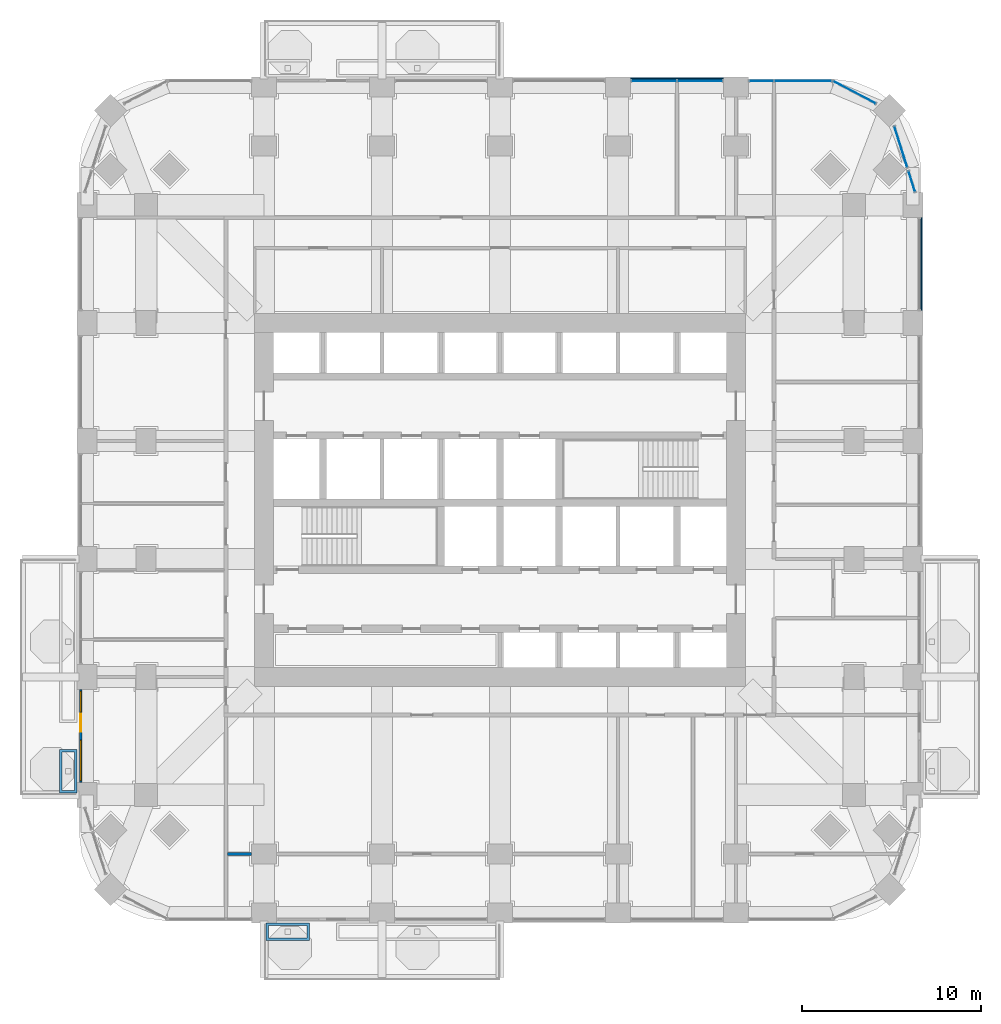
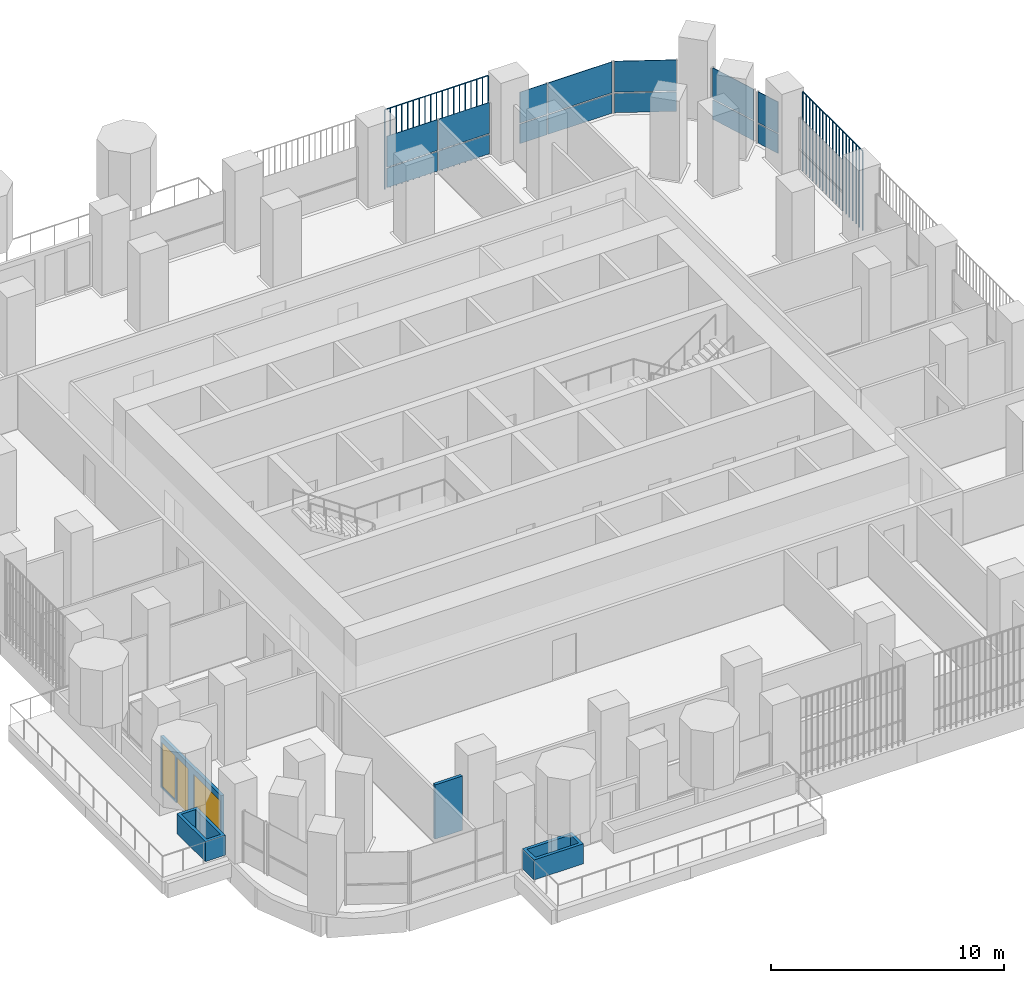
# One storey, part 12 of 21: 16 plates, 4 walls, 2 windows, 1 door, 3 openings, 5 elements without a shape of their own.
"""IFC4 building model written with IfcOpenShell, lengths in metres."""

from ifc_helpers import new_model, si_unit, direction, frame, frame_2d, origin, origin_2d, place, context, subcontext, project, spatial, polyline, rectangle, outline, extrude, material, layer, layer_set, type_object, element, fill, aggregate, save


model = new_model("IFC4")

# Units and contexts
model_context = context("Model", 3, precision=1e-05, world=origin(), true_north=direction((0.0, 1.0)))
body_context = subcontext(model_context, "Body", "Model", "MODEL_VIEW")
ifc_project = project(units=[si_unit("LENGTHUNIT", "METRE"), si_unit("AREAUNIT", "SQUARE_METRE"), si_unit("VOLUMEUNIT", "CUBIC_METRE"), si_unit("PLANEANGLEUNIT", "RADIAN"), si_unit("MASSUNIT", "GRAM", prefix="KILO")], contexts=[model_context])

# Site, building, storey
site_placement = place(None, origin())
site = spatial("IfcSite", under=ifc_project, at=site_placement, CompositionType="ELEMENT")
building_placement = place(site_placement, origin())
building = spatial("IfcBuilding", under=site, at=building_placement, Name="Cobogo Forest Laboratory Tower", CompositionType="ELEMENT")
storey_placement = place(building_placement, frame((0.0, 0.0, 124.199951171875)))
storey = spatial("IfcBuildingStorey", under=building, at=storey_placement, Name="L28", CompositionType="ELEMENT", Elevation=124.199951171875)

# Curtain wall, plates
ifc_material_1 = material(Name="Aluminium curtain wall", Category="aluminium")
curtain_wall_type = type_object("IfcCurtainWallType", Name="CW-1 unitised curtain wall, clear glazing, laboratory floors zones A and B", PredefinedType="USERDEFINED", material=ifc_material_1)
curtain_wall_1_placement = place(storey_placement, origin())
curtain_wall_1 = element("IfcCurtainWall", 1, at=curtain_wall_1_placement, inside=storey, type_object=curtain_wall_type, Name="Curtain wall 15 L28", ObjectType="UNITISED CURTAIN WALL", PredefinedType="USERDEFINED")
ifc_material_2 = material(Name="Clear insulated glass", Category="glass")
ifc_layer_1 = layer(ifc_material_2, 0.028076171875)
ifc_layer_set_1 = layer_set([ifc_layer_1], Name="GP-1 clear insulated glass unit 28")
plate_type_1 = type_object("IfcPlateType", Name="GP-1 clear insulated glass unit 28", PredefinedType="CURTAIN_PANEL", material=ifc_layer_set_1)
plate_1_placement = place(storey_placement, frame((49.433837890625, 40.917724609375, 0.0), z_axis=(0.0, 0.0, 1.0), x_axis=(-0.301135356805, 0.953581405483, 0.0)))
plate_1 = element("IfcPlate", 2, at=plate_1_placement, type_object=plate_type_1, Name="CW-1 panel 1.1", PredefinedType="CURTAIN_PANEL", context=body_context, shape_type="SweptSolid", body=[
    extrude(rectangle(XDim=1.17578125, YDim=0.028076171875, at=origin_2d()), origin(), (0.0, 0.0, 1.0), 1.02001953125),
])
plate_2_placement = place(storey_placement, frame((49.433837890625, 40.917724609375, 1.080078125), z_axis=(0.0, 0.0, 1.0), x_axis=(-0.301135356805, 0.953581405483, 0.0)))
plate_2 = element("IfcPlate", 3, at=plate_2_placement, type_object=plate_type_1, Name="CW-1 panel 1.2", PredefinedType="CURTAIN_PANEL", context=body_context, shape_type="SweptSolid", body=[
    extrude(rectangle(XDim=1.17578125, YDim=0.028076171875, at=origin_2d()), origin(), (0.0, 0.0, 1.0), 1.6201171875),
])
aggregate(curtain_wall_1, [plate_1, plate_2])

curtain_wall_2_placement = place(storey_placement, origin())
curtain_wall_2 = element("IfcCurtainWall", 4, at=curtain_wall_2_placement, inside=storey, type_object=curtain_wall_type, Name="Curtain wall 16 L28", ObjectType="UNITISED CURTAIN WALL", PredefinedType="USERDEFINED")
plate_3_placement = place(storey_placement, frame((48.8212890625, 42.857421875, 0.0), z_axis=(0.0, 0.0, 1.0), x_axis=(-0.301135291996, 0.953581425949, 0.0)))
plate_3 = element("IfcPlate", 5, at=plate_3_placement, type_object=plate_type_1, Name="CW-1 panel 1.1", PredefinedType="CURTAIN_PANEL", context=body_context, shape_type="SweptSolid", body=[
    extrude(rectangle(XDim=2.3681640625, YDim=0.028076171875, at=origin_2d()), origin(), (0.0, 0.0, 1.0), 1.02001953125),
])
plate_4_placement = place(storey_placement, frame((48.8212890625, 42.857421875, 1.080078125), z_axis=(0.0, 0.0, 1.0), x_axis=(-0.301135291996, 0.953581425949, 0.0)))
plate_4 = element("IfcPlate", 6, at=plate_4_placement, type_object=plate_type_1, Name="CW-1 panel 1.2", PredefinedType="CURTAIN_PANEL", context=body_context, shape_type="SweptSolid", body=[
    extrude(rectangle(XDim=2.3681640625, YDim=0.028076171875, at=origin_2d()), origin(), (0.0, 0.0, 1.0), 1.6201171875),
])
aggregate(curtain_wall_2, [plate_3, plate_4])

curtain_wall_3_placement = place(storey_placement, origin())
curtain_wall_3 = element("IfcCurtainWall", 7, at=curtain_wall_3_placement, inside=storey, type_object=curtain_wall_type, Name="Curtain wall 17 L28", ObjectType="UNITISED CURTAIN WALL", PredefinedType="USERDEFINED")
plate_5_placement = place(storey_placement, frame((46.229248046875, 45.90576171875, 0.0), z_axis=(0.0, 0.0, 1.0), x_axis=(-0.885686547075, 0.464283685186, 0.0)))
plate_5 = element("IfcPlate", 8, at=plate_5_placement, type_object=plate_type_1, Name="CW-1 panel 1.1", PredefinedType="CURTAIN_PANEL", context=body_context, shape_type="SweptSolid", body=[
    extrude(rectangle(XDim=2.655517578125, YDim=0.028076171875, at=origin_2d()), origin(), (0.0, 0.0, 1.0), 1.02001953125),
])
plate_6_placement = place(storey_placement, frame((46.229248046875, 45.90576171875, 1.080078125), z_axis=(0.0, 0.0, 1.0), x_axis=(-0.885686547075, 0.464283685186, 0.0)))
plate_6 = element("IfcPlate", 9, at=plate_6_placement, type_object=plate_type_1, Name="CW-1 panel 1.2", PredefinedType="CURTAIN_PANEL", context=body_context, shape_type="SweptSolid", body=[
    extrude(rectangle(XDim=2.655517578125, YDim=0.028076171875, at=origin_2d()), origin(), (0.0, 0.0, 1.0), 1.6201171875),
])
aggregate(curtain_wall_3, [plate_5, plate_6])

curtain_wall_4_placement = place(storey_placement, origin())
curtain_wall_4 = element("IfcCurtainWall", 10, at=curtain_wall_4_placement, inside=storey, type_object=curtain_wall_type, Name="Curtain wall 18 L28", ObjectType="UNITISED CURTAIN WALL", PredefinedType="USERDEFINED")
plate_7_placement = place(storey_placement, frame((43.347412109375, 46.550048828125, 0.0), z_axis=(0.0, 0.0, 1.0), x_axis=(-1.0, 0.0, 0.0)))
plate_7 = element("IfcPlate", 11, at=plate_7_placement, type_object=plate_type_1, Name="CW-1 panel 1.1", PredefinedType="CURTAIN_PANEL", context=body_context, shape_type="SweptSolid", body=[
    extrude(rectangle(XDim=3.18505859375, YDim=0.028076171875, at=origin_2d()), origin(), (0.0, 0.0, 1.0), 1.02001953125),
])
plate_8_placement = place(storey_placement, frame((43.347412109375, 46.550048828125, 1.080078125), z_axis=(0.0, 0.0, 1.0), x_axis=(-1.0, 0.0, 0.0)))
plate_8 = element("IfcPlate", 12, at=plate_8_placement, type_object=plate_type_1, Name="CW-1 panel 1.2", PredefinedType="CURTAIN_PANEL", context=body_context, shape_type="SweptSolid", body=[
    extrude(rectangle(XDim=3.18505859375, YDim=0.028076171875, at=origin_2d()), origin(), (0.0, 0.0, 1.0), 1.6201171875),
])
plate_9_placement = place(storey_placement, frame((41.027587890625, 46.550048828125, 0.0), z_axis=(0.0, 0.0, 1.0), x_axis=(-1.0, 0.0, 0.0)))
plate_9 = element("IfcPlate", 13, at=plate_9_placement, type_object=plate_type_1, Name="CW-1 panel 2.1", PredefinedType="CURTAIN_PANEL", context=body_context, shape_type="SweptSolid", body=[
    extrude(rectangle(XDim=1.3349609375, YDim=0.028076171875, at=origin_2d()), origin(), (0.0, 0.0, 1.0), 1.02001953125),
])
plate_10_placement = place(storey_placement, frame((41.027587890625, 46.550048828125, 1.080078125), z_axis=(0.0, 0.0, 1.0), x_axis=(-1.0, 0.0, 0.0)))
plate_10 = element("IfcPlate", 14, at=plate_10_placement, type_object=plate_type_1, Name="CW-1 panel 2.2", PredefinedType="CURTAIN_PANEL", context=body_context, shape_type="SweptSolid", body=[
    extrude(rectangle(XDim=1.3349609375, YDim=0.028076171875, at=origin_2d()), origin(), (0.0, 0.0, 1.0), 1.6201171875),
])
aggregate(curtain_wall_4, [plate_7, plate_8, plate_9, plate_10])

curtain_wall_5_placement = place(storey_placement, origin())
curtain_wall_5 = element("IfcCurtainWall", 15, at=curtain_wall_5_placement, inside=storey, type_object=curtain_wall_type, Name="Curtain wall 19 L28", ObjectType="UNITISED CURTAIN WALL", PredefinedType="USERDEFINED")
plate_11_placement = place(storey_placement, frame((37.5849609375, 46.550048828125, 0.0), z_axis=(0.0, 0.0, 1.0), x_axis=(-1.0, 0.0, 0.0)))
plate_11 = element("IfcPlate", 16, at=plate_11_placement, type_object=plate_type_1, Name="CW-1 panel 1.1", PredefinedType="CURTAIN_PANEL", context=body_context, shape_type="SweptSolid", body=[
    extrude(rectangle(XDim=2.510009765625, YDim=0.028076171875, at=origin_2d()), origin(), (0.0, 0.0, 1.0), 1.02001953125),
])
plate_12_placement = place(storey_placement, frame((37.5849609375, 46.550048828125, 1.080078125), z_axis=(0.0, 0.0, 1.0), x_axis=(-1.0, 0.0, 0.0)))
plate_12 = element("IfcPlate", 17, at=plate_12_placement, type_object=plate_type_1, Name="CW-1 panel 1.2", PredefinedType="CURTAIN_PANEL", context=body_context, shape_type="SweptSolid", body=[
    extrude(rectangle(XDim=2.510009765625, YDim=0.028076171875, at=origin_2d()), origin(), (0.0, 0.0, 1.0), 1.6201171875),
])
plate_13_placement = place(storey_placement, frame((35.014892578125, 46.550048828125, 0.0), z_axis=(0.0, 0.0, 1.0), x_axis=(-1.0, 0.0, 0.0)))
plate_13 = element("IfcPlate", 18, at=plate_13_placement, type_object=plate_type_1, Name="CW-1 panel 2.1", PredefinedType="CURTAIN_PANEL", context=body_context, shape_type="SweptSolid", body=[
    extrude(rectangle(XDim=2.510009765625, YDim=0.028076171875, at=origin_2d()), origin(), (0.0, 0.0, 1.0), 1.02001953125),
])
plate_14_placement = place(storey_placement, frame((35.014892578125, 46.550048828125, 1.080078125), z_axis=(0.0, 0.0, 1.0), x_axis=(-1.0, 0.0, 0.0)))
plate_14 = element("IfcPlate", 19, at=plate_14_placement, type_object=plate_type_1, Name="CW-1 panel 2.2", PredefinedType="CURTAIN_PANEL", context=body_context, shape_type="SweptSolid", body=[
    extrude(rectangle(XDim=2.510009765625, YDim=0.028076171875, at=origin_2d()), origin(), (0.0, 0.0, 1.0), 1.6201171875),
])
aggregate(curtain_wall_5, [plate_11, plate_12, plate_13, plate_14])

# Plates
ifc_material_3 = material(Name="Terracotta", Category="masonry")
plate_type_2 = type_object("IfcPlateType", Name="TB1 terracotta baguette screen", PredefinedType="USERDEFINED", material=ifc_material_3)
plate_15_placement = place(storey_placement, frame((49.977783203125, 33.731201171875, -0.14990234375)))
element("IfcPlate", 20, at=plate_15_placement, inside=storey, type_object=plate_type_2, Name="Baguette screen E5 L28", ObjectType="BAGUETTE SCREEN", PredefinedType="USERDEFINED", context=body_context, shape_type="SweptSolid", body=[
    extrude(outline(polyline([(0.02880859375, 0.011962890625), (0.011962890625, 0.02880859375), (-0.011962890625, 0.02880859375), (-0.02880859375, 0.011962890625), (-0.02880859375, -0.011962890625), (-0.011962890625, -0.02880859375), (0.011962890625, -0.02880859375), (0.02880859375, -0.011962890625), (0.02880859375, 0.011962890625)])), frame((0.0, 0.0, 4.168701171875), z_axis=(0.0, 1.0, 0.0), x_axis=(-1.0, 0.0, 0.0)), (0.0, 0.0, 1.0), 5.137451171875),
    extrude(outline(polyline([(0.02880859375, 0.011962890625), (0.011962890625, 0.02880859375), (-0.011962890625, 0.02880859375), (-0.02880859375, 0.011962890625), (-0.02880859375, -0.011962890625), (-0.011962890625, -0.02880859375), (0.011962890625, -0.02880859375), (0.02880859375, -0.011962890625), (0.02880859375, 0.011962890625)])), origin(), (0.0, 0.0, 1.0), 4.137451171875),
    extrude(outline(polyline([(0.02880859375, 0.011962890625), (0.011962890625, 0.02880859375), (-0.011962890625, 0.02880859375), (-0.02880859375, 0.011962890625), (-0.02880859375, -0.011962890625), (-0.011962890625, -0.02880859375), (0.011962890625, -0.02880859375), (0.02880859375, -0.011962890625), (0.02880859375, 0.011962890625)])), frame((0.0, 0.285400390625, 0.0)), (0.0, 0.0, 1.0), 4.137451171875),
    extrude(outline(polyline([(0.02880859375, 0.011962890625), (0.011962890625, 0.02880859375), (-0.011962890625, 0.02880859375), (-0.02880859375, 0.011962890625), (-0.02880859375, -0.011962890625), (-0.011962890625, -0.02880859375), (0.011962890625, -0.02880859375), (0.02880859375, -0.011962890625), (0.02880859375, 0.011962890625)])), frame((0.0, 0.57080078125, 0.0)), (0.0, 0.0, 1.0), 4.137451171875),
    extrude(outline(polyline([(0.02880859375, 0.011962890625), (0.011962890625, 0.02880859375), (-0.011962890625, 0.02880859375), (-0.02880859375, 0.011962890625), (-0.02880859375, -0.011962890625), (-0.011962890625, -0.02880859375), (0.011962890625, -0.02880859375), (0.02880859375, -0.011962890625), (0.02880859375, 0.011962890625)])), frame((0.0, 0.856201171875, 0.0)), (0.0, 0.0, 1.0), 4.137451171875),
    extrude(outline(polyline([(0.02880859375, 0.011962890625), (0.011962890625, 0.02880859375), (-0.011962890625, 0.02880859375), (-0.02880859375, 0.011962890625), (-0.02880859375, -0.011962890625), (-0.011962890625, -0.02880859375), (0.011962890625, -0.02880859375), (0.02880859375, -0.011962890625), (0.02880859375, 0.011962890625)])), frame((0.0, 1.1416015625, 0.0)), (0.0, 0.0, 1.0), 4.137451171875),
    extrude(outline(polyline([(0.02880859375, 0.011962890625), (0.011962890625, 0.02880859375), (-0.011962890625, 0.02880859375), (-0.02880859375, 0.011962890625), (-0.02880859375, -0.011962890625), (-0.011962890625, -0.02880859375), (0.011962890625, -0.02880859375), (0.02880859375, -0.011962890625), (0.02880859375, 0.011962890625)])), frame((0.0, 1.427001953125, 0.0)), (0.0, 0.0, 1.0), 4.137451171875),
    extrude(outline(polyline([(0.02880859375, 0.011962890625), (0.011962890625, 0.02880859375), (-0.011962890625, 0.02880859375), (-0.02880859375, 0.011962890625), (-0.02880859375, -0.011962890625), (-0.011962890625, -0.02880859375), (0.011962890625, -0.02880859375), (0.02880859375, -0.011962890625), (0.02880859375, 0.011962890625)])), frame((0.0, 1.71240234375, 0.0)), (0.0, 0.0, 1.0), 4.137451171875),
    extrude(outline(polyline([(0.02880859375, 0.011962890625), (0.011962890625, 0.02880859375), (-0.011962890625, 0.02880859375), (-0.02880859375, 0.011962890625), (-0.02880859375, -0.011962890625), (-0.011962890625, -0.02880859375), (0.011962890625, -0.02880859375), (0.02880859375, -0.011962890625), (0.02880859375, 0.011962890625)])), frame((0.0, 1.997802734375, 0.0)), (0.0, 0.0, 1.0), 4.137451171875),
    extrude(outline(polyline([(0.02880859375, 0.011962890625), (0.011962890625, 0.02880859375), (-0.011962890625, 0.02880859375), (-0.02880859375, 0.011962890625), (-0.02880859375, -0.011962890625), (-0.011962890625, -0.02880859375), (0.011962890625, -0.02880859375), (0.02880859375, -0.011962890625), (0.02880859375, 0.011962890625)])), frame((0.0, 2.283203125, 0.0)), (0.0, 0.0, 1.0), 4.137451171875),
    extrude(outline(polyline([(0.02880859375, 0.011962890625), (0.011962890625, 0.02880859375), (-0.011962890625, 0.02880859375), (-0.02880859375, 0.011962890625), (-0.02880859375, -0.011962890625), (-0.011962890625, -0.02880859375), (0.011962890625, -0.02880859375), (0.02880859375, -0.011962890625), (0.02880859375, 0.011962890625)])), frame((0.0, 2.56884765625, 0.0)), (0.0, 0.0, 1.0), 4.137451171875),
    extrude(outline(polyline([(0.02880859375, 0.011962890625), (0.011962890625, 0.02880859375), (-0.011962890625, 0.02880859375), (-0.02880859375, 0.011962890625), (-0.02880859375, -0.011962890625), (-0.011962890625, -0.02880859375), (0.011962890625, -0.02880859375), (0.02880859375, -0.011962890625), (0.02880859375, 0.011962890625)])), frame((0.0, 2.854248046875, 0.0)), (0.0, 0.0, 1.0), 4.137451171875),
    extrude(outline(polyline([(0.02880859375, 0.011962890625), (0.011962890625, 0.02880859375), (-0.011962890625, 0.02880859375), (-0.02880859375, 0.011962890625), (-0.02880859375, -0.011962890625), (-0.011962890625, -0.02880859375), (0.011962890625, -0.02880859375), (0.02880859375, -0.011962890625), (0.02880859375, 0.011962890625)])), frame((0.0, 3.1396484375, 0.0)), (0.0, 0.0, 1.0), 4.137451171875),
    extrude(outline(polyline([(0.02880859375, 0.011962890625), (0.011962890625, 0.02880859375), (-0.011962890625, 0.02880859375), (-0.02880859375, 0.011962890625), (-0.02880859375, -0.011962890625), (-0.011962890625, -0.02880859375), (0.011962890625, -0.02880859375), (0.02880859375, -0.011962890625), (0.02880859375, 0.011962890625)])), frame((0.0, 3.425048828125, 0.0)), (0.0, 0.0, 1.0), 4.137451171875),
    extrude(outline(polyline([(0.02880859375, 0.011962890625), (0.011962890625, 0.02880859375), (-0.011962890625, 0.02880859375), (-0.02880859375, 0.011962890625), (-0.02880859375, -0.011962890625), (-0.011962890625, -0.02880859375), (0.011962890625, -0.02880859375), (0.02880859375, -0.011962890625), (0.02880859375, 0.011962890625)])), frame((0.0, 3.71044921875, 0.0)), (0.0, 0.0, 1.0), 4.137451171875),
    extrude(outline(polyline([(0.02880859375, 0.011962890625), (0.011962890625, 0.02880859375), (-0.011962890625, 0.02880859375), (-0.02880859375, 0.011962890625), (-0.02880859375, -0.011962890625), (-0.011962890625, -0.02880859375), (0.011962890625, -0.02880859375), (0.02880859375, -0.011962890625), (0.02880859375, 0.011962890625)])), frame((0.0, 3.995849609375, 0.0)), (0.0, 0.0, 1.0), 4.137451171875),
    extrude(outline(polyline([(0.02880859375, 0.011962890625), (0.011962890625, 0.02880859375), (-0.011962890625, 0.02880859375), (-0.02880859375, 0.011962890625), (-0.02880859375, -0.011962890625), (-0.011962890625, -0.02880859375), (0.011962890625, -0.02880859375), (0.02880859375, -0.011962890625), (0.02880859375, 0.011962890625)])), frame((0.0, 4.28125, 0.0)), (0.0, 0.0, 1.0), 4.137451171875),
    extrude(outline(polyline([(0.02880859375, 0.011962890625), (0.011962890625, 0.02880859375), (-0.011962890625, 0.02880859375), (-0.02880859375, 0.011962890625), (-0.02880859375, -0.011962890625), (-0.011962890625, -0.02880859375), (0.011962890625, -0.02880859375), (0.02880859375, -0.011962890625), (0.02880859375, 0.011962890625)])), frame((0.0, 4.566650390625, 0.0)), (0.0, 0.0, 1.0), 4.137451171875),
    extrude(outline(polyline([(0.02880859375, 0.011962890625), (0.011962890625, 0.02880859375), (-0.011962890625, 0.02880859375), (-0.02880859375, 0.011962890625), (-0.02880859375, -0.011962890625), (-0.011962890625, -0.02880859375), (0.011962890625, -0.02880859375), (0.02880859375, -0.011962890625), (0.02880859375, 0.011962890625)])), frame((0.0, 4.85205078125, 0.0)), (0.0, 0.0, 1.0), 4.137451171875),
    extrude(outline(polyline([(0.02880859375, 0.011962890625), (0.011962890625, 0.02880859375), (-0.011962890625, 0.02880859375), (-0.02880859375, 0.011962890625), (-0.02880859375, -0.011962890625), (-0.011962890625, -0.02880859375), (0.011962890625, -0.02880859375), (0.02880859375, -0.011962890625), (0.02880859375, 0.011962890625)])), frame((0.0, 5.137451171875, 0.0)), (0.0, 0.0, 1.0), 4.137451171875),
])
plate_16_placement = place(storey_placement, frame((33.731201171875, 46.677978515625, -0.14990234375)))
element("IfcPlate", 21, at=plate_16_placement, inside=storey, type_object=plate_type_2, Name="Baguette screen N4 L28", ObjectType="BAGUETTE SCREEN", PredefinedType="USERDEFINED", context=body_context, shape_type="SweptSolid", body=[
    extrude(outline(polyline([(0.02880859375, 0.011962890625), (0.011962890625, 0.02880859375), (-0.011962890625, 0.02880859375), (-0.02880859375, 0.011962890625), (-0.02880859375, -0.011962890625), (-0.011962890625, -0.02880859375), (0.011962890625, -0.02880859375), (0.02880859375, -0.011962890625), (0.02880859375, 0.011962890625)])), frame((0.0, 0.0, 4.168701171875), z_axis=(1.0, 0.0, 0.0), x_axis=(0.0, 1.0, 0.0)), (0.0, 0.0, 1.0), 5.137451171875),
    extrude(outline(polyline([(0.02880859375, 0.011962890625), (0.011962890625, 0.02880859375), (-0.011962890625, 0.02880859375), (-0.02880859375, 0.011962890625), (-0.02880859375, -0.011962890625), (-0.011962890625, -0.02880859375), (0.011962890625, -0.02880859375), (0.02880859375, -0.011962890625), (0.02880859375, 0.011962890625)])), origin(), (0.0, 0.0, 1.0), 4.137451171875),
    extrude(outline(polyline([(0.02880859375, 0.011962890625), (0.011962890625, 0.02880859375), (-0.011962890625, 0.02880859375), (-0.02880859375, 0.011962890625), (-0.02880859375, -0.011962890625), (-0.011962890625, -0.02880859375), (0.011962890625, -0.02880859375), (0.02880859375, -0.011962890625), (0.02880859375, 0.011962890625)])), frame((0.285400390625, 0.0, 0.0)), (0.0, 0.0, 1.0), 4.137451171875),
    extrude(outline(polyline([(0.02880859375, 0.011962890625), (0.011962890625, 0.02880859375), (-0.011962890625, 0.02880859375), (-0.02880859375, 0.011962890625), (-0.02880859375, -0.011962890625), (-0.011962890625, -0.02880859375), (0.011962890625, -0.02880859375), (0.02880859375, -0.011962890625), (0.02880859375, 0.011962890625)])), frame((0.57080078125, 0.0, 0.0)), (0.0, 0.0, 1.0), 4.137451171875),
    extrude(outline(polyline([(0.02880859375, 0.011962890625), (0.011962890625, 0.02880859375), (-0.011962890625, 0.02880859375), (-0.02880859375, 0.011962890625), (-0.02880859375, -0.011962890625), (-0.011962890625, -0.02880859375), (0.011962890625, -0.02880859375), (0.02880859375, -0.011962890625), (0.02880859375, 0.011962890625)])), frame((0.856201171875, 0.0, 0.0)), (0.0, 0.0, 1.0), 4.137451171875),
    extrude(outline(polyline([(0.02880859375, 0.011962890625), (0.011962890625, 0.02880859375), (-0.011962890625, 0.02880859375), (-0.02880859375, 0.011962890625), (-0.02880859375, -0.011962890625), (-0.011962890625, -0.02880859375), (0.011962890625, -0.02880859375), (0.02880859375, -0.011962890625), (0.02880859375, 0.011962890625)])), frame((1.1416015625, 0.0, 0.0)), (0.0, 0.0, 1.0), 4.137451171875),
    extrude(outline(polyline([(0.02880859375, 0.011962890625), (0.011962890625, 0.02880859375), (-0.011962890625, 0.02880859375), (-0.02880859375, 0.011962890625), (-0.02880859375, -0.011962890625), (-0.011962890625, -0.02880859375), (0.011962890625, -0.02880859375), (0.02880859375, -0.011962890625), (0.02880859375, 0.011962890625)])), frame((1.427001953125, 0.0, 0.0)), (0.0, 0.0, 1.0), 4.137451171875),
    extrude(outline(polyline([(0.02880859375, 0.011962890625), (0.011962890625, 0.02880859375), (-0.011962890625, 0.02880859375), (-0.02880859375, 0.011962890625), (-0.02880859375, -0.011962890625), (-0.011962890625, -0.02880859375), (0.011962890625, -0.02880859375), (0.02880859375, -0.011962890625), (0.02880859375, 0.011962890625)])), frame((1.71240234375, 0.0, 0.0)), (0.0, 0.0, 1.0), 4.137451171875),
    extrude(outline(polyline([(0.02880859375, 0.011962890625), (0.011962890625, 0.02880859375), (-0.011962890625, 0.02880859375), (-0.02880859375, 0.011962890625), (-0.02880859375, -0.011962890625), (-0.011962890625, -0.02880859375), (0.011962890625, -0.02880859375), (0.02880859375, -0.011962890625), (0.02880859375, 0.011962890625)])), frame((1.997802734375, 0.0, 0.0)), (0.0, 0.0, 1.0), 4.137451171875),
    extrude(outline(polyline([(0.02880859375, 0.011962890625), (0.011962890625, 0.02880859375), (-0.011962890625, 0.02880859375), (-0.02880859375, 0.011962890625), (-0.02880859375, -0.011962890625), (-0.011962890625, -0.02880859375), (0.011962890625, -0.02880859375), (0.02880859375, -0.011962890625), (0.02880859375, 0.011962890625)])), frame((2.283203125, 0.0, 0.0)), (0.0, 0.0, 1.0), 4.137451171875),
    extrude(outline(polyline([(0.02880859375, 0.011962890625), (0.011962890625, 0.02880859375), (-0.011962890625, 0.02880859375), (-0.02880859375, 0.011962890625), (-0.02880859375, -0.011962890625), (-0.011962890625, -0.02880859375), (0.011962890625, -0.02880859375), (0.02880859375, -0.011962890625), (0.02880859375, 0.011962890625)])), frame((2.56884765625, 0.0, 0.0)), (0.0, 0.0, 1.0), 4.137451171875),
    extrude(outline(polyline([(0.02880859375, 0.011962890625), (0.011962890625, 0.02880859375), (-0.011962890625, 0.02880859375), (-0.02880859375, 0.011962890625), (-0.02880859375, -0.011962890625), (-0.011962890625, -0.02880859375), (0.011962890625, -0.02880859375), (0.02880859375, -0.011962890625), (0.02880859375, 0.011962890625)])), frame((2.854248046875, 0.0, 0.0)), (0.0, 0.0, 1.0), 4.137451171875),
    extrude(outline(polyline([(0.02880859375, 0.011962890625), (0.011962890625, 0.02880859375), (-0.011962890625, 0.02880859375), (-0.02880859375, 0.011962890625), (-0.02880859375, -0.011962890625), (-0.011962890625, -0.02880859375), (0.011962890625, -0.02880859375), (0.02880859375, -0.011962890625), (0.02880859375, 0.011962890625)])), frame((3.1396484375, 0.0, 0.0)), (0.0, 0.0, 1.0), 4.137451171875),
    extrude(outline(polyline([(0.02880859375, 0.011962890625), (0.011962890625, 0.02880859375), (-0.011962890625, 0.02880859375), (-0.02880859375, 0.011962890625), (-0.02880859375, -0.011962890625), (-0.011962890625, -0.02880859375), (0.011962890625, -0.02880859375), (0.02880859375, -0.011962890625), (0.02880859375, 0.011962890625)])), frame((3.425048828125, 0.0, 0.0)), (0.0, 0.0, 1.0), 4.137451171875),
    extrude(outline(polyline([(0.02880859375, 0.011962890625), (0.011962890625, 0.02880859375), (-0.011962890625, 0.02880859375), (-0.02880859375, 0.011962890625), (-0.02880859375, -0.011962890625), (-0.011962890625, -0.02880859375), (0.011962890625, -0.02880859375), (0.02880859375, -0.011962890625), (0.02880859375, 0.011962890625)])), frame((3.71044921875, 0.0, 0.0)), (0.0, 0.0, 1.0), 4.137451171875),
    extrude(outline(polyline([(0.02880859375, 0.011962890625), (0.011962890625, 0.02880859375), (-0.011962890625, 0.02880859375), (-0.02880859375, 0.011962890625), (-0.02880859375, -0.011962890625), (-0.011962890625, -0.02880859375), (0.011962890625, -0.02880859375), (0.02880859375, -0.011962890625), (0.02880859375, 0.011962890625)])), frame((3.995849609375, 0.0, 0.0)), (0.0, 0.0, 1.0), 4.137451171875),
    extrude(outline(polyline([(0.02880859375, 0.011962890625), (0.011962890625, 0.02880859375), (-0.011962890625, 0.02880859375), (-0.02880859375, 0.011962890625), (-0.02880859375, -0.011962890625), (-0.011962890625, -0.02880859375), (0.011962890625, -0.02880859375), (0.02880859375, -0.011962890625), (0.02880859375, 0.011962890625)])), frame((4.28125, 0.0, 0.0)), (0.0, 0.0, 1.0), 4.137451171875),
    extrude(outline(polyline([(0.02880859375, 0.011962890625), (0.011962890625, 0.02880859375), (-0.011962890625, 0.02880859375), (-0.02880859375, 0.011962890625), (-0.02880859375, -0.011962890625), (-0.011962890625, -0.02880859375), (0.011962890625, -0.02880859375), (0.02880859375, -0.011962890625), (0.02880859375, 0.011962890625)])), frame((4.566650390625, 0.0, 0.0)), (0.0, 0.0, 1.0), 4.137451171875),
    extrude(outline(polyline([(0.02880859375, 0.011962890625), (0.011962890625, 0.02880859375), (-0.011962890625, 0.02880859375), (-0.02880859375, 0.011962890625), (-0.02880859375, -0.011962890625), (-0.011962890625, -0.02880859375), (0.011962890625, -0.02880859375), (0.02880859375, -0.011962890625), (0.02880859375, 0.011962890625)])), frame((4.85205078125, 0.0, 0.0)), (0.0, 0.0, 1.0), 4.137451171875),
    extrude(outline(polyline([(0.02880859375, 0.011962890625), (0.011962890625, 0.02880859375), (-0.011962890625, 0.02880859375), (-0.02880859375, 0.011962890625), (-0.02880859375, -0.011962890625), (-0.011962890625, -0.02880859375), (0.011962890625, -0.02880859375), (0.02880859375, -0.011962890625), (0.02880859375, 0.011962890625)])), frame((5.137451171875, 0.0, 0.0)), (0.0, 0.0, 1.0), 4.137451171875),
])

# Wall, openings, door, windows
ifc_material_4 = material(Name="Aluminium framed glazed screen", Category="aluminium")
ifc_layer_2 = layer(ifc_material_4, 0.14990234375)
ifc_layer_set_2 = layer_set([ifc_layer_2], Name="GS1 glazed door screen 150")
wall_type_1 = type_object("IfcWallType", Name="GS1 glazed door screen 150", PredefinedType="SOLIDWALL", material=ifc_layer_set_2)
wall_1_placement = place(storey_placement, frame((2.949951171875, 12.5, 0.0), z_axis=(0.0, 0.0, 1.0), x_axis=(0.0, -1.0, 0.0)))
wall_1 = element("IfcWall", 22, at=wall_1_placement, inside=storey, type_object=wall_type_1, Name="Door screen BAL-W1 L28", PredefinedType="SOLIDWALL", context=body_context, shape_type="SweptSolid", body=[
    extrude(rectangle(XDim=5.199951171875, YDim=0.14990234375, at=frame_2d((2.60009765625, 0.0))), origin(), (0.0, 0.0, 1.0), 2.699951171875),
])
opening_1_placement = place(wall_1_placement, frame((1.35009765625, 0.0, 0.0)))
opening_1 = element("IfcOpeningElement", 23, at=opening_1_placement, cuts=wall_1, Name="Opening L28-D04", PredefinedType="OPENING", context=body_context, shape_type="SweptSolid", body=[
    extrude(rectangle(XDim=1.0, YDim=2.39990234375, at=frame_2d((0.5, 1.199951171875))), frame((0.0, 0.0849609375, 0.0), z_axis=(0.0, -1.0, 0.0), x_axis=(1.0, 0.0, 0.0)), (0.0, 0.0, 1.0), 0.169921875),
])
opening_2_placement = place(wall_1_placement, frame((0.10009765625, 0.0, 0.10009765625)))
opening_2 = element("IfcOpeningElement", 24, at=opening_2_placement, cuts=wall_1, Name="Opening L28-W05", PredefinedType="OPENING", context=body_context, shape_type="SweptSolid", body=[
    extrude(rectangle(XDim=1.14990234375, YDim=2.300048828125, at=frame_2d((0.574951171875, 1.14990234375))), frame((0.0, 0.0849609375, 0.0), z_axis=(0.0, -1.0, 0.0), x_axis=(1.0, 0.0, 0.0)), (0.0, 0.0, 1.0), 0.169921875),
])
opening_3_placement = place(wall_1_placement, frame((2.85009765625, 0.0, 0.10009765625)))
opening_3 = element("IfcOpeningElement", 25, at=opening_3_placement, cuts=wall_1, Name="Opening L28-W03", PredefinedType="OPENING", context=body_context, shape_type="SweptSolid", body=[
    extrude(rectangle(XDim=2.25, YDim=2.300048828125, at=frame_2d((1.125, 1.14990234375))), frame((0.0, 0.0849609375, 0.0), z_axis=(0.0, -1.0, 0.0), x_axis=(1.0, 0.0, 0.0)), (0.0, 0.0, 1.0), 0.169921875),
])
ifc_material_5 = material(Name="Aluminium glazed door", Category="aluminium")
door_type = type_object("IfcDoorType", Name="DB1 balcony door 1000 glazed", OperationType="SINGLE_SWING_LEFT", PredefinedType="DOOR", material=ifc_material_5)
door_placement = place(opening_1_placement, origin())
door = element("IfcDoor", 26, at=door_placement, inside=storey, type_object=door_type, Name="Door L28-BAL-W1", OperationType="SINGLE_SWING_LEFT", OverallHeight=2.39990234375, OverallWidth=1.0, PredefinedType="DOOR", context=body_context, shape_type="SweptSolid", body=[
    extrude(rectangle(XDim=1.0, YDim=2.39990234375, at=frame_2d((0.5, 1.199951171875))), frame((0.0, 0.02490234375, 0.0), z_axis=(0.0, -1.0, 0.0), x_axis=(1.0, 0.0, 0.0)), (0.0, 0.0, 1.0), 0.050048828125),
])
fill(opening_1, door)
ifc_material_6 = material(Name="Aluminium framed glazing", Category="aluminium")
window_type_1 = type_object("IfcWindowType", Name="WG15 fixed glazed light 2250x2300", PartitioningType="SINGLE_PANEL", PredefinedType="WINDOW", material=ifc_material_6)
window_1_placement = place(opening_3_placement, origin())
window_1 = element("IfcWindow", 27, at=window_1_placement, inside=storey, type_object=window_type_1, Name="Window L28-BAL-W1-2", OverallHeight=2.300048828125, OverallWidth=2.25, PartitioningType="SINGLE_PANEL", PredefinedType="WINDOW", context=body_context, shape_type="SweptSolid", body=[
    extrude(rectangle(XDim=2.25, YDim=2.300048828125, at=frame_2d((1.125, 1.14990234375))), frame((0.0, 0.030029296875, 0.0), z_axis=(0.0, -1.0, 0.0), x_axis=(1.0, 0.0, 0.0)), (0.0, 0.0, 1.0), 0.06005859375),
])
fill(opening_3, window_1)
window_type_2 = type_object("IfcWindowType", Name="WG16 fixed glazed light 1150x2300", PartitioningType="SINGLE_PANEL", PredefinedType="WINDOW", material=ifc_material_6)
window_2_placement = place(opening_2_placement, origin())
window_2 = element("IfcWindow", 28, at=window_2_placement, inside=storey, type_object=window_type_2, Name="Window L28-BAL-W1-1", OverallHeight=2.300048828125, OverallWidth=1.14990234375, PartitioningType="SINGLE_PANEL", PredefinedType="WINDOW", context=body_context, shape_type="SweptSolid", body=[
    extrude(rectangle(XDim=1.14990234375, YDim=2.300048828125, at=frame_2d((0.574951171875, 1.14990234375))), frame((0.0, 0.030029296875, 0.0), z_axis=(0.0, -1.0, 0.0), x_axis=(1.0, 0.0, 0.0)), (0.0, 0.0, 1.0), 0.06005859375),
])
fill(opening_2, window_2)

# Walls
ifc_material_7 = material(Name="Gypsum board on steel studs", Category="steel")
ifc_layer_3 = layer(ifc_material_7, 0.14990234375)
ifc_layer_set_3 = layer_set([ifc_layer_3], Name="PT1 laboratory partition 150")
wall_type_2 = type_object("IfcWallType", Name="PT1 laboratory partition 150", PredefinedType="PARTITIONING", material=ifc_layer_set_3)
wall_2_placement = place(storey_placement, frame((11.14990234375, 3.300048828125, 0.0), z_axis=(0.0, 0.0, 1.0), x_axis=(1.0, 0.0, 0.0)))
element("IfcWall", 29, at=wall_2_placement, inside=storey, type_object=wall_type_2, Name="Partition STRIP-S-1 L28", PredefinedType="PARTITIONING", context=body_context, shape_type="SweptSolid", body=[
    extrude(rectangle(XDim=1.35009765625, YDim=0.14990234375, at=frame_2d((0.675048828125, 0.0))), origin(), (0.0, 0.0, 1.0), 2.85009765625),
])
ifc_material_8 = material(Name="Concrete HA-40 (C40/50)", Category="concrete")
ifc_layer_4 = layer(ifc_material_8, 0.14990234375)
ifc_layer_set_4 = layer_set([ifc_layer_4], Name="Planter box 1000x1050")
wall_type_3 = type_object("IfcWallType", Name="Planter box 1000x1050", PredefinedType="USERDEFINED", material=ifc_layer_set_4)
wall_3_placement = place(storey_placement, origin())
element("IfcWall", 30, at=wall_3_placement, inside=storey, type_object=wall_type_3, Name="Planter BAL-S1-1 L28", ObjectType="PLANTER", PredefinedType="USERDEFINED", context=body_context, shape_type="SweptSolid", body=[
    extrude(outline(polyline([(13.300048828125, -1.550048828125), (15.75, -1.550048828125), (15.75, -0.550048828125), (13.300048828125, -0.550048828125), (13.300048828125, -1.550048828125)]), holes=[polyline([(13.449951171875, -1.39990234375), (15.60009765625, -1.39990234375), (15.60009765625, -0.699951171875), (13.449951171875, -0.699951171875), (13.449951171875, -1.39990234375)])]), origin(), (0.0, 0.0, 1.0), 1.050048828125),
])
wall_4_placement = place(storey_placement, origin())
element("IfcWall", 31, at=wall_4_placement, inside=storey, type_object=wall_type_3, Name="Planter BAL-W1-1 L28", ObjectType="PLANTER", PredefinedType="USERDEFINED", context=body_context, shape_type="SweptSolid", body=[
    extrude(outline(polyline([(1.75, 6.699951171875), (2.75, 6.699951171875), (2.75, 9.14990234375), (1.75, 9.14990234375), (1.75, 6.699951171875)]), holes=[polyline([(1.89990234375, 6.85009765625), (2.60009765625, 6.85009765625), (2.60009765625, 9.0), (1.89990234375, 9.0), (1.89990234375, 6.85009765625)])]), origin(), (0.0, 0.0, 1.0), 1.050048828125),
])

save(model, "model.ifc")
